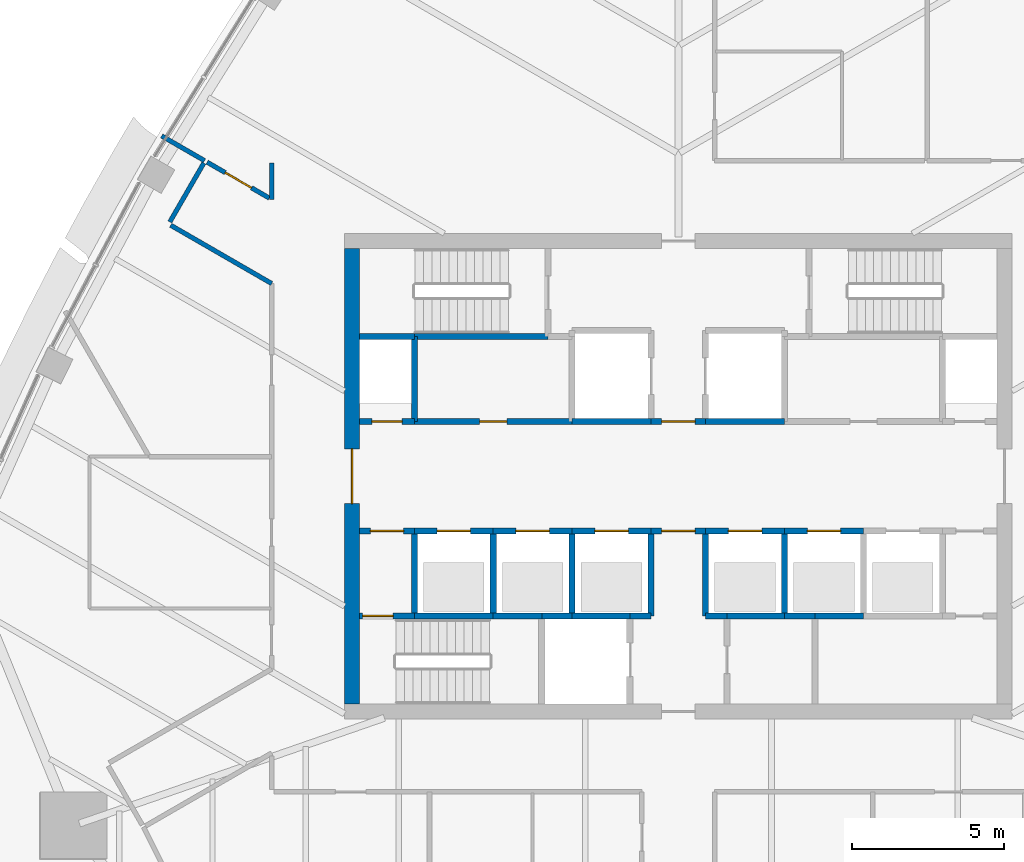
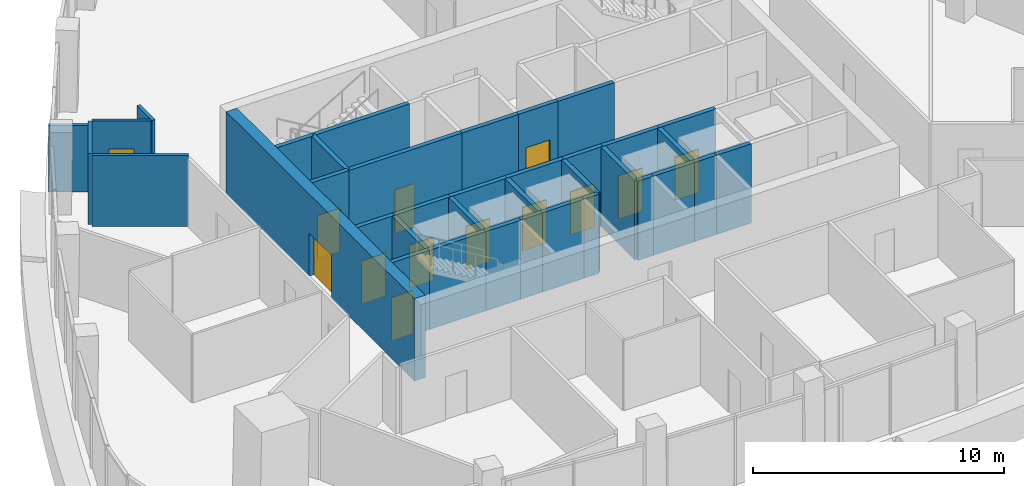
# One storey, part 9 of 15: 37 walls, 13 doors, 13 openings.
"""IFC4 building model written with IfcOpenShell, lengths in metres."""

from ifc_helpers import new_model, si_unit, direction, frame, frame_2d, origin, place, context, subcontext, project, spatial, rectangle, extrude, material, layer, layer_set, type_object, element, fill, save


model = new_model("IFC4")

# Units and contexts
model_context = context("Model", 3, precision=1e-05, world=origin(), true_north=direction((0.0, 1.0)))
body_context = subcontext(model_context, "Body", "Model", "MODEL_VIEW")
ifc_project = project(units=[si_unit("LENGTHUNIT", "METRE"), si_unit("AREAUNIT", "SQUARE_METRE"), si_unit("VOLUMEUNIT", "CUBIC_METRE"), si_unit("PLANEANGLEUNIT", "RADIAN"), si_unit("MASSUNIT", "GRAM", prefix="KILO")], contexts=[model_context])

# Site, building, storey
site_placement = place(None, origin())
site = spatial("IfcSite", under=ifc_project, at=site_placement, CompositionType="ELEMENT")
building_placement = place(site_placement, origin())
building = spatial("IfcBuilding", under=site, at=building_placement, Name="Sierra Prisma Convention Tower", CompositionType="ELEMENT")
storey_placement = place(building_placement, frame((0.0, 0.0, 315.0)))
storey = spatial("IfcBuildingStorey", under=building, at=storey_placement, Name="L72", CompositionType="ELEMENT", Elevation=315.0)

# Wall, opening, door
ifc_material_1 = material(Name="Concrete C30/37", Category="concrete")
ifc_layer_1 = layer(ifc_material_1, 0.199951171875)
ifc_layer_set_1 = layer_set([ifc_layer_1], Name="Core wall RC 200 C30/37")
wall_type_1 = type_object("IfcWallType", Name="Core wall RC 200 C30/37", PredefinedType="SOLIDWALL", material=ifc_layer_set_1)
wall_1_placement = place(storey_placement, frame((-10.5, -4.60009765625, 0.0), z_axis=(0.0, 0.0, 1.0), x_axis=(1.0, 0.0, 0.0)))
wall_1 = element("IfcWall", 1, at=wall_1_placement, inside=storey, type_object=wall_type_1, Name="Core wall L72 1", PredefinedType="SOLIDWALL", context=body_context, shape_type="SweptSolid", body=[
    extrude(rectangle(XDim=1.800048828125, YDim=0.199951171875, at=frame_2d((0.89990234375, 0.0))), origin(), (0.0, 0.0, 1.0), 3.85009765625),
])
opening_1_placement = place(wall_1_placement, frame((0.10009765625, 0.0, 0.0)))
opening_1 = element("IfcOpeningElement", 2, at=opening_1_placement, cuts=wall_1, Name="Opening L72-D015", PredefinedType="OPENING", context=body_context, shape_type="SweptSolid", body=[
    extrude(rectangle(XDim=1.0, YDim=2.10009765625, at=frame_2d((0.5, 1.050048828125))), frame((0.0, 0.10009765625, 0.0), z_axis=(0.0, -1.0, 0.0), x_axis=(1.0, 0.0, 0.0)), (0.0, 0.0, 1.0), 0.199951171875),
])
ifc_material_2 = material(Name="Steel fire door leaf", Category="steel")
door_type_1 = type_object("IfcDoorType", Name="Door 1000x2100 FD90S", OperationType="SINGLE_SWING_LEFT", PredefinedType="DOOR", material=ifc_material_2)
door_1_placement = place(opening_1_placement, origin())
door_1 = element("IfcDoor", 3, at=door_1_placement, inside=storey, type_object=door_type_1, Name="Door L72 31", OperationType="SINGLE_SWING_LEFT", OverallHeight=2.10009765625, OverallWidth=1.0, PredefinedType="DOOR", context=body_context, shape_type="SweptSolid", body=[
    extrude(rectangle(XDim=1.0, YDim=2.10009765625, at=frame_2d((0.5, 1.050048828125))), frame((0.0, 0.02490234375, 0.0), z_axis=(0.0, -1.0, 0.0), x_axis=(1.0, 0.0, 0.0)), (0.0, 0.0, 1.0), 0.050048828125),
])
fill(opening_1, door_1)

wall_2_placement = place(storey_placement, frame((-10.5, -1.800048828125, 0.0), z_axis=(0.0, 0.0, 1.0), x_axis=(1.0, 0.0, 0.0)))
wall_2 = element("IfcWall", 4, at=wall_2_placement, inside=storey, type_object=wall_type_1, Name="Core wall L72 2", PredefinedType="SOLIDWALL", context=body_context, shape_type="SweptSolid", body=[
    extrude(rectangle(XDim=1.800048828125, YDim=0.199951171875, at=frame_2d((0.89990234375, 0.0))), origin(), (0.0, 0.0, 1.0), 3.85009765625),
])
opening_2_placement = place(wall_2_placement, frame((0.35009765625, 0.0, 0.0)))
opening_2 = element("IfcOpeningElement", 5, at=opening_2_placement, cuts=wall_2, Name="Opening L72-D010", PredefinedType="OPENING", context=body_context, shape_type="SweptSolid", body=[
    extrude(rectangle(XDim=1.10009765625, YDim=2.10009765625, at=frame_2d((0.550048828125, 1.050048828125))), frame((0.0, 0.10009765625, 0.0), z_axis=(0.0, -1.0, 0.0), x_axis=(1.0, 0.0, 0.0)), (0.0, 0.0, 1.0), 0.199951171875),
])
ifc_material_3 = material(Name="Steel fire door leaf", Category="steel")
door_type_2 = type_object("IfcDoorType", Name="Door 1100x2100 FD90S", OperationType="SINGLE_SWING_LEFT", PredefinedType="DOOR", material=ifc_material_3)
door_2_placement = place(opening_2_placement, origin())
door_2 = element("IfcDoor", 6, at=door_2_placement, inside=storey, type_object=door_type_2, Name="Door L72 26", OperationType="SINGLE_SWING_LEFT", OverallHeight=2.10009765625, OverallWidth=1.10009765625, PredefinedType="DOOR", context=body_context, shape_type="SweptSolid", body=[
    extrude(rectangle(XDim=1.10009765625, YDim=2.10009765625, at=frame_2d((0.550048828125, 1.050048828125))), frame((0.0, 0.02490234375, 0.0), z_axis=(0.0, -1.0, 0.0), x_axis=(1.0, 0.0, 0.0)), (0.0, 0.0, 1.0), 0.050048828125),
])
fill(opening_2, door_2)

wall_3_placement = place(storey_placement, frame((-8.699951171875, 1.800048828125, 0.0), z_axis=(0.0, 0.0, 1.0), x_axis=(-1.0, 0.0, 0.0)))
wall_3 = element("IfcWall", 7, at=wall_3_placement, inside=storey, type_object=wall_type_1, Name="Core wall L72 3", PredefinedType="SOLIDWALL", context=body_context, shape_type="SweptSolid", body=[
    extrude(rectangle(XDim=1.800048828125, YDim=0.199951171875, at=frame_2d((0.89990234375, 0.0))), origin(), (0.0, 0.0, 1.0), 3.85009765625),
])
opening_3_placement = place(wall_3_placement, frame((0.39990234375, 0.0, 0.0)))
opening_3 = element("IfcOpeningElement", 8, at=opening_3_placement, cuts=wall_3, Name="Opening L72-D013", PredefinedType="OPENING", context=body_context, shape_type="SweptSolid", body=[
    extrude(rectangle(XDim=1.0, YDim=2.10009765625, at=frame_2d((0.5, 1.050048828125))), frame((0.0, 0.10009765625, 0.0), z_axis=(0.0, -1.0, 0.0), x_axis=(1.0, 0.0, 0.0)), (0.0, 0.0, 1.0), 0.199951171875),
])
ifc_material_4 = material(Name="Steel fire door leaf", Category="steel")
door_type_3 = type_object("IfcDoorType", Name="Door 1000x2100 FD60S", OperationType="SINGLE_SWING_LEFT", PredefinedType="DOOR", material=ifc_material_4)
door_3_placement = place(opening_3_placement, origin())
door_3 = element("IfcDoor", 9, at=door_3_placement, inside=storey, type_object=door_type_3, Name="Door L72 29", OperationType="SINGLE_SWING_LEFT", OverallHeight=2.10009765625, OverallWidth=1.0, PredefinedType="DOOR", context=body_context, shape_type="SweptSolid", body=[
    extrude(rectangle(XDim=1.0, YDim=2.10009765625, at=frame_2d((0.5, 1.050048828125))), frame((0.0, 0.02490234375, 0.0), z_axis=(0.0, -1.0, 0.0), x_axis=(1.0, 0.0, 0.0)), (0.0, 0.0, 1.0), 0.050048828125),
])
fill(opening_3, door_3)

# Walls
wall_4_placement = place(storey_placement, frame((-8.699951171875, 4.60009765625, 0.0), z_axis=(0.0, 0.0, 1.0), x_axis=(-1.0, 0.0, 0.0)))
element("IfcWall", 10, at=wall_4_placement, inside=storey, type_object=wall_type_1, Name="Core wall L72 4", PredefinedType="SOLIDWALL", context=body_context, shape_type="SweptSolid", body=[
    extrude(rectangle(XDim=1.800048828125, YDim=0.199951171875, at=frame_2d((0.89990234375, 0.0))), origin(), (0.0, 0.0, 1.0), 3.85009765625),
])
wall_5_placement = place(storey_placement, frame((-8.699951171875, -4.60009765625, 0.0), z_axis=(0.0, 0.0, 1.0), x_axis=(1.0, 0.0, 0.0)))
element("IfcWall", 11, at=wall_5_placement, inside=storey, type_object=wall_type_1, Name="Core wall L72 5", PredefinedType="SOLIDWALL", context=body_context, shape_type="SweptSolid", body=[
    extrude(rectangle(XDim=2.599853515625, YDim=0.199951171875, at=frame_2d((1.2998046875, 0.0))), origin(), (0.0, 0.0, 1.0), 3.85009765625),
])
wall_6_placement = place(storey_placement, frame((-8.699951171875, -4.60009765625, 0.0), z_axis=(0.0, 0.0, 1.0), x_axis=(0.0, 1.0, 0.0)))
element("IfcWall", 12, at=wall_6_placement, inside=storey, type_object=wall_type_1, Name="Core wall L72 6", PredefinedType="SOLIDWALL", context=body_context, shape_type="SweptSolid", body=[
    extrude(rectangle(XDim=2.800048828125, YDim=0.199951171875, at=frame_2d((1.39990234375, 0.0))), origin(), (0.0, 0.0, 1.0), 3.85009765625),
])

# Wall, opening, door
wall_7_placement = place(storey_placement, frame((-8.699951171875, -1.800048828125, 0.0), z_axis=(0.0, 0.0, 1.0), x_axis=(1.0, 0.0, 0.0)))
wall_7 = element("IfcWall", 13, at=wall_7_placement, inside=storey, type_object=wall_type_1, Name="Core wall L72 7", PredefinedType="SOLIDWALL", context=body_context, shape_type="SweptSolid", body=[
    extrude(rectangle(XDim=2.599853515625, YDim=0.199951171875, at=frame_2d((1.2998046875, 0.0))), origin(), (0.0, 0.0, 1.0), 3.85009765625),
])
opening_4_placement = place(wall_7_placement, frame((0.75, 0.0, 0.0)))
opening_4 = element("IfcOpeningElement", 14, at=opening_4_placement, cuts=wall_7, Name="Opening L72-D001", PredefinedType="OPENING", context=body_context, shape_type="SweptSolid", body=[
    extrude(rectangle(XDim=1.10009765625, YDim=2.10009765625, at=frame_2d((0.550048828125, 1.050048828125))), frame((0.0, 0.10009765625, 0.0), z_axis=(0.0, -1.0, 0.0), x_axis=(1.0, 0.0, 0.0)), (0.0, 0.0, 1.0), 0.199951171875),
])
ifc_material_5 = material(Name="Steel fire door leaf", Category="steel")
door_type_4 = type_object("IfcDoorType", Name="Door 1100x2100 EI 90 sliding lift landing", OperationType="SLIDING_TO_LEFT", PredefinedType="DOOR", material=ifc_material_5)
door_4_placement = place(opening_4_placement, origin())
door_4 = element("IfcDoor", 15, at=door_4_placement, inside=storey, type_object=door_type_4, Name="Door L72 17", OperationType="SLIDING_TO_RIGHT", OverallHeight=2.10009765625, OverallWidth=1.10009765625, PredefinedType="DOOR", context=body_context, shape_type="SweptSolid", body=[
    extrude(rectangle(XDim=1.10009765625, YDim=2.10009765625, at=frame_2d((0.550048828125, 1.050048828125))), frame((0.0, 0.02490234375, 0.0), z_axis=(0.0, -1.0, 0.0), x_axis=(1.0, 0.0, 0.0)), (0.0, 0.0, 1.0), 0.050048828125),
])
fill(opening_4, door_4)

wall_8_placement = place(storey_placement, frame((-8.699951171875, 1.800048828125, 0.0), z_axis=(0.0, 0.0, 1.0), x_axis=(1.0, 0.0, 0.0)))
wall_8 = element("IfcWall", 16, at=wall_8_placement, inside=storey, type_object=wall_type_1, Name="Core wall L72 8", PredefinedType="SOLIDWALL", context=body_context, shape_type="SweptSolid", body=[
    extrude(rectangle(XDim=5.199951171875, YDim=0.199951171875, at=frame_2d((2.60009765625, 0.0))), origin(), (0.0, 0.0, 1.0), 3.85009765625),
])
opening_5_placement = place(wall_8_placement, frame((2.14990234375, 0.0, 0.0)))
opening_5 = element("IfcOpeningElement", 17, at=opening_5_placement, cuts=wall_8, Name="Opening L72-D019", PredefinedType="OPENING", context=body_context, shape_type="SweptSolid", body=[
    extrude(rectangle(XDim=0.89990234375, YDim=2.10009765625, at=frame_2d((0.449951171875, 1.050048828125))), frame((0.0, 0.10009765625, 0.0), z_axis=(0.0, -1.0, 0.0), x_axis=(1.0, 0.0, 0.0)), (0.0, 0.0, 1.0), 0.199951171875),
])
ifc_material_6 = material(Name="Steel fire door leaf", Category="steel")
door_type_5 = type_object("IfcDoorType", Name="Door 900x2100 FD30S", OperationType="SINGLE_SWING_LEFT", PredefinedType="DOOR", material=ifc_material_6)
door_5_placement = place(opening_5_placement, origin())
door_5 = element("IfcDoor", 18, at=door_5_placement, inside=storey, type_object=door_type_5, Name="Door L72 35", OperationType="SINGLE_SWING_RIGHT", OverallHeight=2.10009765625, OverallWidth=0.89990234375, PredefinedType="DOOR", context=body_context, shape_type="SweptSolid", body=[
    extrude(rectangle(XDim=0.89990234375, YDim=2.10009765625, at=frame_2d((0.449951171875, 1.050048828125))), frame((0.0, 0.02490234375, 0.0), z_axis=(0.0, -1.0, 0.0), x_axis=(1.0, 0.0, 0.0)), (0.0, 0.0, 1.0), 0.050048828125),
])
fill(opening_5, door_5)

# Walls
wall_9_placement = place(storey_placement, frame((-8.699951171875, 4.60009765625, 0.0), z_axis=(0.0, 0.0, 1.0), x_axis=(0.0, -1.0, 0.0)))
element("IfcWall", 19, at=wall_9_placement, inside=storey, type_object=wall_type_1, Name="Core wall L72 9", PredefinedType="SOLIDWALL", context=body_context, shape_type="SweptSolid", body=[
    extrude(rectangle(XDim=2.800048828125, YDim=0.199951171875, at=frame_2d((1.39990234375, 0.0))), origin(), (0.0, 0.0, 1.0), 3.85009765625),
])
wall_10_placement = place(storey_placement, frame((-4.300048828125, 4.60009765625, 0.0), z_axis=(0.0, 0.0, 1.0), x_axis=(-1.0, 0.0, 0.0)))
element("IfcWall", 20, at=wall_10_placement, inside=storey, type_object=wall_type_1, Name="Core wall L72 10", PredefinedType="SOLIDWALL", context=body_context, shape_type="SweptSolid", body=[
    extrude(rectangle(XDim=4.39990234375, YDim=0.199951171875, at=frame_2d((2.199951171875, 0.0))), origin(), (0.0, 0.0, 1.0), 3.85009765625),
])
wall_11_placement = place(storey_placement, frame((-6.10009765625, -4.60009765625, 0.0), z_axis=(0.0, 0.0, 1.0), x_axis=(1.0, 0.0, 0.0)))
element("IfcWall", 21, at=wall_11_placement, inside=storey, type_object=wall_type_1, Name="Core wall L72 11", PredefinedType="SOLIDWALL", context=body_context, shape_type="SweptSolid", body=[
    extrude(rectangle(XDim=1.60009765625, YDim=0.199951171875, at=frame_2d((0.800048828125, 0.0))), origin(), (0.0, 0.0, 1.0), 3.85009765625),
])
wall_12_placement = place(storey_placement, frame((-6.10009765625, -4.60009765625, 0.0), z_axis=(0.0, 0.0, 1.0), x_axis=(0.0, 1.0, 0.0)))
element("IfcWall", 22, at=wall_12_placement, inside=storey, type_object=wall_type_1, Name="Core wall L72 12", PredefinedType="SOLIDWALL", context=body_context, shape_type="SweptSolid", body=[
    extrude(rectangle(XDim=2.800048828125, YDim=0.199951171875, at=frame_2d((1.39990234375, 0.0))), origin(), (0.0, 0.0, 1.0), 3.85009765625),
])

# Wall, opening, door
wall_13_placement = place(storey_placement, frame((-6.10009765625, -1.800048828125, 0.0), z_axis=(0.0, 0.0, 1.0), x_axis=(1.0, 0.0, 0.0)))
wall_13 = element("IfcWall", 23, at=wall_13_placement, inside=storey, type_object=wall_type_1, Name="Core wall L72 13", PredefinedType="SOLIDWALL", context=body_context, shape_type="SweptSolid", body=[
    extrude(rectangle(XDim=2.60009765625, YDim=0.199951171875, at=frame_2d((1.300048828125, 0.0))), origin(), (0.0, 0.0, 1.0), 3.85009765625),
])
opening_6_placement = place(wall_13_placement, frame((0.75, 0.0, 0.0)))
opening_6 = element("IfcOpeningElement", 24, at=opening_6_placement, cuts=wall_13, Name="Opening L72-D002", PredefinedType="OPENING", context=body_context, shape_type="SweptSolid", body=[
    extrude(rectangle(XDim=1.10009765625, YDim=2.10009765625, at=frame_2d((0.550048828125, 1.050048828125))), frame((0.0, 0.10009765625, 0.0), z_axis=(0.0, -1.0, 0.0), x_axis=(1.0, 0.0, 0.0)), (0.0, 0.0, 1.0), 0.199951171875),
])
door_6_placement = place(opening_6_placement, origin())
door_6 = element("IfcDoor", 25, at=door_6_placement, inside=storey, type_object=door_type_4, Name="Door L72 18", OperationType="SLIDING_TO_RIGHT", OverallHeight=2.10009765625, OverallWidth=1.10009765625, PredefinedType="DOOR", context=body_context, shape_type="SweptSolid", body=[
    extrude(rectangle(XDim=1.10009765625, YDim=2.10009765625, at=frame_2d((0.550048828125, 1.050048828125))), frame((0.0, 0.02490234375, 0.0), z_axis=(0.0, -1.0, 0.0), x_axis=(1.0, 0.0, 0.0)), (0.0, 0.0, 1.0), 0.050048828125),
])
fill(opening_6, door_6)

# Walls
wall_14_placement = place(storey_placement, frame((-4.5, -4.60009765625, 0.0), z_axis=(0.0, 0.0, 1.0), x_axis=(1.0, 0.0, 0.0)))
element("IfcWall", 26, at=wall_14_placement, inside=storey, type_object=wall_type_1, Name="Core wall L72 15", PredefinedType="SOLIDWALL", context=body_context, shape_type="SweptSolid", body=[
    extrude(rectangle(XDim=1.0, YDim=0.199951171875, at=frame_2d((0.5, 0.0))), origin(), (0.0, 0.0, 1.0), 3.85009765625),
])
wall_15_placement = place(storey_placement, frame((-3.5, -4.60009765625, 0.0), z_axis=(0.0, 0.0, 1.0), x_axis=(1.0, 0.0, 0.0)))
element("IfcWall", 27, at=wall_15_placement, inside=storey, type_object=wall_type_1, Name="Core wall L72 18", PredefinedType="SOLIDWALL", context=body_context, shape_type="SweptSolid", body=[
    extrude(rectangle(XDim=1.89990234375, YDim=0.199951171875, at=frame_2d((0.949951171875, 0.0))), origin(), (0.0, 0.0, 1.0), 3.85009765625),
])
wall_16_placement = place(storey_placement, frame((-3.5, -4.60009765625, 0.0), z_axis=(0.0, 0.0, 1.0), x_axis=(0.0, 1.0, 0.0)))
element("IfcWall", 28, at=wall_16_placement, inside=storey, type_object=wall_type_1, Name="Core wall L72 19", PredefinedType="SOLIDWALL", context=body_context, shape_type="SweptSolid", body=[
    extrude(rectangle(XDim=2.800048828125, YDim=0.199951171875, at=frame_2d((1.39990234375, 0.0))), origin(), (0.0, 0.0, 1.0), 3.85009765625),
])

# Wall, opening, door
wall_17_placement = place(storey_placement, frame((-3.5, -1.800048828125, 0.0), z_axis=(0.0, 0.0, 1.0), x_axis=(1.0, 0.0, 0.0)))
wall_17 = element("IfcWall", 29, at=wall_17_placement, inside=storey, type_object=wall_type_1, Name="Core wall L72 20", PredefinedType="SOLIDWALL", context=body_context, shape_type="SweptSolid", body=[
    extrude(rectangle(XDim=2.60009765625, YDim=0.199951171875, at=frame_2d((1.300048828125, 0.0))), origin(), (0.0, 0.0, 1.0), 3.85009765625),
])
opening_7_placement = place(wall_17_placement, frame((0.75, 0.0, 0.0)))
opening_7 = element("IfcOpeningElement", 30, at=opening_7_placement, cuts=wall_17, Name="Opening L72-D003", PredefinedType="OPENING", context=body_context, shape_type="SweptSolid", body=[
    extrude(rectangle(XDim=1.10009765625, YDim=2.10009765625, at=frame_2d((0.550048828125, 1.050048828125))), frame((0.0, 0.10009765625, 0.0), z_axis=(0.0, -1.0, 0.0), x_axis=(1.0, 0.0, 0.0)), (0.0, 0.0, 1.0), 0.199951171875),
])
door_7_placement = place(opening_7_placement, origin())
door_7 = element("IfcDoor", 31, at=door_7_placement, inside=storey, type_object=door_type_4, Name="Door L72 19", OperationType="SLIDING_TO_RIGHT", OverallHeight=2.10009765625, OverallWidth=1.10009765625, PredefinedType="DOOR", context=body_context, shape_type="SweptSolid", body=[
    extrude(rectangle(XDim=1.10009765625, YDim=2.10009765625, at=frame_2d((0.550048828125, 1.050048828125))), frame((0.0, 0.02490234375, 0.0), z_axis=(0.0, -1.0, 0.0), x_axis=(1.0, 0.0, 0.0)), (0.0, 0.0, 1.0), 0.050048828125),
])
fill(opening_7, door_7)

# Walls
wall_18_placement = place(storey_placement, frame((-0.89990234375, 1.800048828125, 0.0), z_axis=(0.0, 0.0, 1.0), x_axis=(-1.0, 0.0, 0.0)))
element("IfcWall", 32, at=wall_18_placement, inside=storey, type_object=wall_type_1, Name="Core wall L72 21", PredefinedType="SOLIDWALL", context=body_context, shape_type="SweptSolid", body=[
    extrude(rectangle(XDim=2.60009765625, YDim=0.199951171875, at=frame_2d((1.300048828125, 0.0))), origin(), (0.0, 0.0, 1.0), 3.85009765625),
])
wall_19_placement = place(storey_placement, frame((-1.60009765625, -4.60009765625, 0.0), z_axis=(0.0, 0.0, 1.0), x_axis=(1.0, 0.0, 0.0)))
element("IfcWall", 33, at=wall_19_placement, inside=storey, type_object=wall_type_1, Name="Core wall L72 27", PredefinedType="SOLIDWALL", context=body_context, shape_type="SweptSolid", body=[
    extrude(rectangle(XDim=0.7001953125, YDim=0.199951171875, at=frame_2d((0.35009765625, 0.0))), origin(), (0.0, 0.0, 1.0), 3.85009765625),
])
wall_20_placement = place(storey_placement, frame((-0.89990234375, -4.60009765625, 0.0), z_axis=(0.0, 0.0, 1.0), x_axis=(0.0, 1.0, 0.0)))
element("IfcWall", 34, at=wall_20_placement, inside=storey, type_object=wall_type_1, Name="Core wall L72 28", PredefinedType="SOLIDWALL", context=body_context, shape_type="SweptSolid", body=[
    extrude(rectangle(XDim=2.800048828125, YDim=0.199951171875, at=frame_2d((1.39990234375, 0.0))), origin(), (0.0, 0.0, 1.0), 3.85009765625),
])

# Wall, opening, door
wall_21_placement = place(storey_placement, frame((-0.89990234375, -1.800048828125, 0.0), z_axis=(0.0, 0.0, 1.0), x_axis=(1.0, 0.0, 0.0)))
wall_21 = element("IfcWall", 35, at=wall_21_placement, inside=storey, type_object=wall_type_1, Name="Core wall L72 29", PredefinedType="SOLIDWALL", context=body_context, shape_type="SweptSolid", body=[
    extrude(rectangle(XDim=1.7998046875, YDim=0.199951171875, at=frame_2d((0.89990234375, 0.0))), origin(), (0.0, 0.0, 1.0), 3.85009765625),
])
opening_8_placement = place(wall_21_placement, frame((0.35009765625, 0.0, 0.0)))
opening_8 = element("IfcOpeningElement", 36, at=opening_8_placement, cuts=wall_21, Name="Opening L72-D012", PredefinedType="OPENING", context=body_context, shape_type="SweptSolid", body=[
    extrude(rectangle(XDim=1.10009765625, YDim=2.10009765625, at=frame_2d((0.550048828125, 1.050048828125))), frame((0.0, 0.10009765625, 0.0), z_axis=(0.0, -1.0, 0.0), x_axis=(1.0, 0.0, 0.0)), (0.0, 0.0, 1.0), 0.199951171875),
])
ifc_material_7 = material(Name="Steel fire door leaf", Category="steel")
door_type_6 = type_object("IfcDoorType", Name="Door 1100x2100 FD30S", OperationType="SINGLE_SWING_LEFT", PredefinedType="DOOR", material=ifc_material_7)
door_8_placement = place(opening_8_placement, origin())
door_8 = element("IfcDoor", 37, at=door_8_placement, inside=storey, type_object=door_type_6, Name="Door L72 28", OperationType="SINGLE_SWING_LEFT", OverallHeight=2.10009765625, OverallWidth=1.10009765625, PredefinedType="DOOR", context=body_context, shape_type="SweptSolid", body=[
    extrude(rectangle(XDim=1.10009765625, YDim=2.10009765625, at=frame_2d((0.550048828125, 1.050048828125))), frame((0.0, 0.02490234375, 0.0), z_axis=(0.0, -1.0, 0.0), x_axis=(1.0, 0.0, 0.0)), (0.0, 0.0, 1.0), 0.050048828125),
])
fill(opening_8, door_8)

wall_22_placement = place(storey_placement, frame((0.89990234375, 1.800048828125, 0.0), z_axis=(0.0, 0.0, 1.0), x_axis=(-1.0, 0.0, 0.0)))
wall_22 = element("IfcWall", 38, at=wall_22_placement, inside=storey, type_object=wall_type_1, Name="Core wall L72 30", PredefinedType="SOLIDWALL", context=body_context, shape_type="SweptSolid", body=[
    extrude(rectangle(XDim=1.7998046875, YDim=0.199951171875, at=frame_2d((0.89990234375, 0.0))), origin(), (0.0, 0.0, 1.0), 3.85009765625),
])
opening_9_placement = place(wall_22_placement, frame((0.35009765625, 0.0, 0.0)))
opening_9 = element("IfcOpeningElement", 39, at=opening_9_placement, cuts=wall_22, Name="Opening L72-D011", PredefinedType="OPENING", context=body_context, shape_type="SweptSolid", body=[
    extrude(rectangle(XDim=1.10009765625, YDim=2.10009765625, at=frame_2d((0.550048828125, 1.050048828125))), frame((0.0, 0.10009765625, 0.0), z_axis=(0.0, -1.0, 0.0), x_axis=(1.0, 0.0, 0.0)), (0.0, 0.0, 1.0), 0.199951171875),
])
ifc_material_8 = material(Name="Steel fire door leaf", Category="steel")
door_type_7 = type_object("IfcDoorType", Name="Door 1100x2100 FD60S", OperationType="SINGLE_SWING_LEFT", PredefinedType="DOOR", material=ifc_material_8)
door_9_placement = place(opening_9_placement, origin())
door_9 = element("IfcDoor", 40, at=door_9_placement, inside=storey, type_object=door_type_7, Name="Door L72 27", OperationType="SINGLE_SWING_RIGHT", OverallHeight=2.10009765625, OverallWidth=1.10009765625, PredefinedType="DOOR", context=body_context, shape_type="SweptSolid", body=[
    extrude(rectangle(XDim=1.10009765625, YDim=2.10009765625, at=frame_2d((0.550048828125, 1.050048828125))), frame((0.0, 0.02490234375, 0.0), z_axis=(0.0, -1.0, 0.0), x_axis=(1.0, 0.0, 0.0)), (0.0, 0.0, 1.0), 0.050048828125),
])
fill(opening_9, door_9)

wall_23_placement = place(storey_placement, frame((0.89990234375, -1.800048828125, 0.0), z_axis=(0.0, 0.0, 1.0), x_axis=(1.0, 0.0, 0.0)))
wall_23 = element("IfcWall", 41, at=wall_23_placement, inside=storey, type_object=wall_type_1, Name="Core wall L72 31", PredefinedType="SOLIDWALL", context=body_context, shape_type="SweptSolid", body=[
    extrude(rectangle(XDim=2.60009765625, YDim=0.199951171875, at=frame_2d((1.300048828125, 0.0))), origin(), (0.0, 0.0, 1.0), 3.85009765625),
])
opening_10_placement = place(wall_23_placement, frame((0.75, 0.0, 0.0)))
opening_10 = element("IfcOpeningElement", 42, at=opening_10_placement, cuts=wall_23, Name="Opening L72-D004", PredefinedType="OPENING", context=body_context, shape_type="SweptSolid", body=[
    extrude(rectangle(XDim=1.10009765625, YDim=2.10009765625, at=frame_2d((0.550048828125, 1.050048828125))), frame((0.0, 0.10009765625, 0.0), z_axis=(0.0, -1.0, 0.0), x_axis=(1.0, 0.0, 0.0)), (0.0, 0.0, 1.0), 0.199951171875),
])
door_10_placement = place(opening_10_placement, origin())
door_10 = element("IfcDoor", 43, at=door_10_placement, inside=storey, type_object=door_type_4, Name="Door L72 20", OperationType="SLIDING_TO_LEFT", OverallHeight=2.10009765625, OverallWidth=1.10009765625, PredefinedType="DOOR", context=body_context, shape_type="SweptSolid", body=[
    extrude(rectangle(XDim=1.10009765625, YDim=2.10009765625, at=frame_2d((0.550048828125, 1.050048828125))), frame((0.0, 0.02490234375, 0.0), z_axis=(0.0, -1.0, 0.0), x_axis=(1.0, 0.0, 0.0)), (0.0, 0.0, 1.0), 0.050048828125),
])
fill(opening_10, door_10)

# Walls
wall_24_placement = place(storey_placement, frame((0.89990234375, -1.800048828125, 0.0), z_axis=(0.0, 0.0, 1.0), x_axis=(0.0, -1.0, 0.0)))
element("IfcWall", 44, at=wall_24_placement, inside=storey, type_object=wall_type_1, Name="Core wall L72 32", PredefinedType="SOLIDWALL", context=body_context, shape_type="SweptSolid", body=[
    extrude(rectangle(XDim=2.800048828125, YDim=0.199951171875, at=frame_2d((1.39990234375, 0.0))), origin(), (0.0, 0.0, 1.0), 3.85009765625),
])
wall_25_placement = place(storey_placement, frame((0.89990234375, -4.60009765625, 0.0), z_axis=(0.0, 0.0, 1.0), x_axis=(1.0, 0.0, 0.0)))
element("IfcWall", 45, at=wall_25_placement, inside=storey, type_object=wall_type_1, Name="Core wall L72 33", PredefinedType="SOLIDWALL", context=body_context, shape_type="SweptSolid", body=[
    extrude(rectangle(XDim=0.7001953125, YDim=0.199951171875, at=frame_2d((0.35009765625, 0.0))), origin(), (0.0, 0.0, 1.0), 3.85009765625),
])
wall_26_placement = place(storey_placement, frame((3.5, 1.800048828125, 0.0), z_axis=(0.0, 0.0, 1.0), x_axis=(-1.0, 0.0, 0.0)))
element("IfcWall", 46, at=wall_26_placement, inside=storey, type_object=wall_type_1, Name="Core wall L72 34", PredefinedType="SOLIDWALL", context=body_context, shape_type="SweptSolid", body=[
    extrude(rectangle(XDim=2.60009765625, YDim=0.199951171875, at=frame_2d((1.300048828125, 0.0))), origin(), (0.0, 0.0, 1.0), 3.85009765625),
])
wall_27_placement = place(storey_placement, frame((3.5, -4.60009765625, 0.0), z_axis=(0.0, 0.0, 1.0), x_axis=(-1.0, 0.0, 0.0)))
element("IfcWall", 47, at=wall_27_placement, inside=storey, type_object=wall_type_1, Name="Core wall L72 39", PredefinedType="SOLIDWALL", context=body_context, shape_type="SweptSolid", body=[
    extrude(rectangle(XDim=1.89990234375, YDim=0.199951171875, at=frame_2d((0.949951171875, 0.0))), origin(), (0.0, 0.0, 1.0), 3.85009765625),
])
wall_28_placement = place(storey_placement, frame((4.5, -4.60009765625, 0.0), z_axis=(0.0, 0.0, 1.0), x_axis=(-1.0, 0.0, 0.0)))
element("IfcWall", 48, at=wall_28_placement, inside=storey, type_object=wall_type_1, Name="Core wall L72 40", PredefinedType="SOLIDWALL", context=body_context, shape_type="SweptSolid", body=[
    extrude(rectangle(XDim=1.0, YDim=0.199951171875, at=frame_2d((0.5, 0.0))), origin(), (0.0, 0.0, 1.0), 3.85009765625),
])
wall_29_placement = place(storey_placement, frame((3.5, -4.60009765625, 0.0), z_axis=(0.0, 0.0, 1.0), x_axis=(0.0, 1.0, 0.0)))
element("IfcWall", 49, at=wall_29_placement, inside=storey, type_object=wall_type_1, Name="Core wall L72 41", PredefinedType="SOLIDWALL", context=body_context, shape_type="SweptSolid", body=[
    extrude(rectangle(XDim=2.800048828125, YDim=0.199951171875, at=frame_2d((1.39990234375, 0.0))), origin(), (0.0, 0.0, 1.0), 3.85009765625),
])

# Wall, opening, door
wall_30_placement = place(storey_placement, frame((3.5, -1.800048828125, 0.0), z_axis=(0.0, 0.0, 1.0), x_axis=(1.0, 0.0, 0.0)))
wall_30 = element("IfcWall", 50, at=wall_30_placement, inside=storey, type_object=wall_type_1, Name="Core wall L72 42", PredefinedType="SOLIDWALL", context=body_context, shape_type="SweptSolid", body=[
    extrude(rectangle(XDim=2.60009765625, YDim=0.199951171875, at=frame_2d((1.300048828125, 0.0))), origin(), (0.0, 0.0, 1.0), 3.85009765625),
])
opening_11_placement = place(wall_30_placement, frame((0.75, 0.0, 0.0)))
opening_11 = element("IfcOpeningElement", 51, at=opening_11_placement, cuts=wall_30, Name="Opening L72-D005", PredefinedType="OPENING", context=body_context, shape_type="SweptSolid", body=[
    extrude(rectangle(XDim=1.10009765625, YDim=2.10009765625, at=frame_2d((0.550048828125, 1.050048828125))), frame((0.0, 0.10009765625, 0.0), z_axis=(0.0, -1.0, 0.0), x_axis=(1.0, 0.0, 0.0)), (0.0, 0.0, 1.0), 0.199951171875),
])
door_11_placement = place(opening_11_placement, origin())
door_11 = element("IfcDoor", 52, at=door_11_placement, inside=storey, type_object=door_type_4, Name="Door L72 21", OperationType="SLIDING_TO_RIGHT", OverallHeight=2.10009765625, OverallWidth=1.10009765625, PredefinedType="DOOR", context=body_context, shape_type="SweptSolid", body=[
    extrude(rectangle(XDim=1.10009765625, YDim=2.10009765625, at=frame_2d((0.550048828125, 1.050048828125))), frame((0.0, 0.02490234375, 0.0), z_axis=(0.0, -1.0, 0.0), x_axis=(1.0, 0.0, 0.0)), (0.0, 0.0, 1.0), 0.050048828125),
])
fill(opening_11, door_11)

# Wall
wall_31_placement = place(storey_placement, frame((6.10009765625, -4.60009765625, 0.0), z_axis=(0.0, 0.0, 1.0), x_axis=(-1.0, 0.0, 0.0)))
element("IfcWall", 53, at=wall_31_placement, inside=storey, type_object=wall_type_1, Name="Core wall L72 49", PredefinedType="SOLIDWALL", context=body_context, shape_type="SweptSolid", body=[
    extrude(rectangle(XDim=1.60009765625, YDim=0.199951171875, at=frame_2d((0.800048828125, 0.0))), origin(), (0.0, 0.0, 1.0), 3.85009765625),
])

# Wall, opening, door
ifc_material_9 = material(Name="Concrete C50/60", Category="concrete")
ifc_layer_2 = layer(ifc_material_9, 0.5)
ifc_layer_set_2 = layer_set([ifc_layer_2], Name="Core wall RC 500 C50/60")
wall_type_2 = type_object("IfcWallType", Name="Core wall RC 500 C50/60", PredefinedType="SHEAR", material=ifc_layer_set_2)
wall_32_placement = place(storey_placement, frame((-10.75, -7.5, 0.0), z_axis=(0.0, 0.0, 1.0), x_axis=(0.0, 1.0, 0.0)))
wall_32 = element("IfcWall", 54, at=wall_32_placement, inside=storey, type_object=wall_type_2, Name="Core wall W L72", PredefinedType="SHEAR", context=body_context, shape_type="SweptSolid", body=[
    extrude(rectangle(XDim=15.0, YDim=0.5, at=frame_2d((7.5, 0.0))), origin(), (0.0, 0.0, 1.0), 4.0),
])
opening_12_placement = place(wall_32_placement, frame((6.60009765625, 0.0, 0.0)))
opening_12 = element("IfcOpeningElement", 55, at=opening_12_placement, cuts=wall_32, Name="Opening L72-D042", PredefinedType="OPENING", context=body_context, shape_type="SweptSolid", body=[
    extrude(rectangle(XDim=1.800048828125, YDim=2.10009765625, at=frame_2d((0.89990234375, 1.050048828125))), frame((0.0, 0.25, 0.0), z_axis=(0.0, -1.0, 0.0), x_axis=(1.0, 0.0, 0.0)), (0.0, 0.0, 1.0), 0.5),
])
ifc_material_10 = material(Name="Steel fire door leaf", Category="steel")
door_type_8 = type_object("IfcDoorType", Name="Door 1800x2100 FD60S", OperationType="DOUBLE_DOOR_SINGLE_SWING", PredefinedType="DOOR", material=ifc_material_10)
door_12_placement = place(opening_12_placement, origin())
door_12 = element("IfcDoor", 56, at=door_12_placement, inside=storey, type_object=door_type_8, Name="Door L72 39", OperationType="DOUBLE_DOOR_SINGLE_SWING", OverallHeight=2.10009765625, OverallWidth=1.800048828125, PredefinedType="DOOR", context=body_context, shape_type="SweptSolid", body=[
    extrude(rectangle(XDim=1.800048828125, YDim=2.10009765625, at=frame_2d((0.89990234375, 1.050048828125))), frame((0.0, 0.02490234375, 0.0), z_axis=(0.0, -1.0, 0.0), x_axis=(1.0, 0.0, 0.0)), (0.0, 0.0, 1.0), 0.050048828125),
])
fill(opening_12, door_12)

# Walls
ifc_material_11 = material(Name="Gypsum board partition", Category="gypsum")
ifc_layer_3 = layer(ifc_material_11, 0.14990234375)
ifc_layer_set_3 = layer_set([ifc_layer_3], Name="Corridor wall 150 gypsum EI 60")
wall_type_3 = type_object("IfcWallType", Name="Corridor wall 150 gypsum EI 60", PredefinedType="PARTITIONING", material=ifc_layer_set_3)
wall_33_placement = place(storey_placement, frame((-16.727783203125, 8.272216796875, 0.0), z_axis=(0.0, 0.0, 1.0), x_axis=(0.866021594059, -0.50000659858, 0.0)))
element("IfcWall", 57, at=wall_33_placement, inside=storey, type_object=wall_type_3, Name="Partition L72 corr 2", PredefinedType="PARTITIONING", context=body_context, shape_type="SweptSolid", body=[
    extrude(rectangle(XDim=3.8427734375, YDim=0.14990234375, at=frame_2d((1.92138671875, 0.0))), origin(), (0.0, 0.0, 1.0), 3.449951171875),
])
wall_34_placement = place(storey_placement, frame((-15.63720703125, 10.3212890625, 0.0), z_axis=(0.0, 0.0, 1.0), x_axis=(-0.49999608499, -0.866027664105, 0.0)))
element("IfcWall", 58, at=wall_34_placement, inside=storey, type_object=wall_type_3, Name="Partition L72 corr 7", PredefinedType="PARTITIONING", context=body_context, shape_type="SweptSolid", body=[
    extrude(rectangle(XDim=2.23974609375, YDim=0.14990234375, at=frame_2d((1.119873046875, 0.0))), origin(), (0.0, 0.0, 1.0), 3.449951171875),
])
wall_35_placement = place(storey_placement, frame((-13.39990234375, 10.320068359375, 0.0), z_axis=(0.0, 0.0, 1.0), x_axis=(0.0, -1.0, 0.0)))
element("IfcWall", 59, at=wall_35_placement, inside=storey, type_object=wall_type_3, Name="Partition L72 corr 8", PredefinedType="PARTITIONING", context=body_context, shape_type="SweptSolid", body=[
    extrude(rectangle(XDim=1.197998046875, YDim=0.14990234375, at=frame_2d((0.59912109375, 0.0))), origin(), (0.0, 0.0, 1.0), 3.449951171875),
])

# Wall, opening, door
wall_36_placement = place(storey_placement, frame((-13.479248046875, 9.16796875, 0.0), z_axis=(0.0, 0.0, 1.0), x_axis=(-0.866049809446, 0.499957725772, 0.0)))
wall_36 = element("IfcWall", 60, at=wall_36_placement, inside=storey, type_object=wall_type_3, Name="Partition L72 corr 9", PredefinedType="PARTITIONING", context=body_context, shape_type="SweptSolid", body=[
    extrude(rectangle(XDim=2.365478515625, YDim=0.14990234375, at=frame_2d((1.1826171875, 0.0))), origin(), (0.0, 0.0, 1.0), 3.449951171875),
])
opening_13_placement = place(wall_36_placement, frame((0.677001953125, 0.0, 0.0)))
opening_13 = element("IfcOpeningElement", 61, at=opening_13_placement, cuts=wall_36, Name="Opening L72-D027", PredefinedType="OPENING", context=body_context, shape_type="SweptSolid", body=[
    extrude(rectangle(XDim=1.0, YDim=2.10009765625, at=frame_2d((0.5, 1.050048828125))), frame((0.0, 0.074951171875, 0.0), z_axis=(0.0, -1.0, 0.0), x_axis=(1.0, 0.0, 0.0)), (0.0, 0.0, 1.0), 0.14990234375),
])
ifc_material_12 = material(Name="Steel fire door leaf", Category="steel")
door_type_9 = type_object("IfcDoorType", Name="Door 1000x2100 FD30S", OperationType="SINGLE_SWING_LEFT", PredefinedType="DOOR", material=ifc_material_12)
door_13_placement = place(opening_13_placement, origin())
door_13 = element("IfcDoor", 62, at=door_13_placement, inside=storey, type_object=door_type_9, Name="Door L72 5", OperationType="SINGLE_SWING_LEFT", OverallHeight=2.10009765625, OverallWidth=1.0, PredefinedType="DOOR", context=body_context, shape_type="SweptSolid", body=[
    extrude(rectangle(XDim=1.0, YDim=2.10009765625, at=frame_2d((0.5, 1.050048828125))), frame((0.0, 0.02490234375, 0.0), z_axis=(0.0, -1.0, 0.0), x_axis=(1.0, 0.0, 0.0)), (0.0, 0.0, 1.0), 0.050048828125),
])
fill(opening_13, door_13)

# Wall
ifc_material_13 = material(Name="Gypsum board partition", Category="gypsum")
ifc_layer_4 = layer(ifc_material_13, 0.14990234375)
ifc_layer_set_4 = layer_set([ifc_layer_4], Name="Party wall 150 gypsum")
wall_type_4 = type_object("IfcWallType", Name="Party wall 150 gypsum", PredefinedType="PARTITIONING", material=ifc_layer_set_4)
wall_37_placement = place(storey_placement, frame((-15.61328125, 10.39990234375, 0.0), z_axis=(0.0, 0.0, 1.0), x_axis=(-0.865976063253, 0.500085450571, 0.0)))
element("IfcWall", 63, at=wall_37_placement, inside=storey, type_object=wall_type_4, Name="Partition L72 party 4", PredefinedType="PARTITIONING", context=body_context, shape_type="SweptSolid", body=[
    extrude(rectangle(XDim=1.630126953125, YDim=0.14990234375, at=frame_2d((0.81494140625, 0.0))), origin(), (0.0, 0.0, 1.0), 3.23388671875),
])

save(model, "model.ifc")
